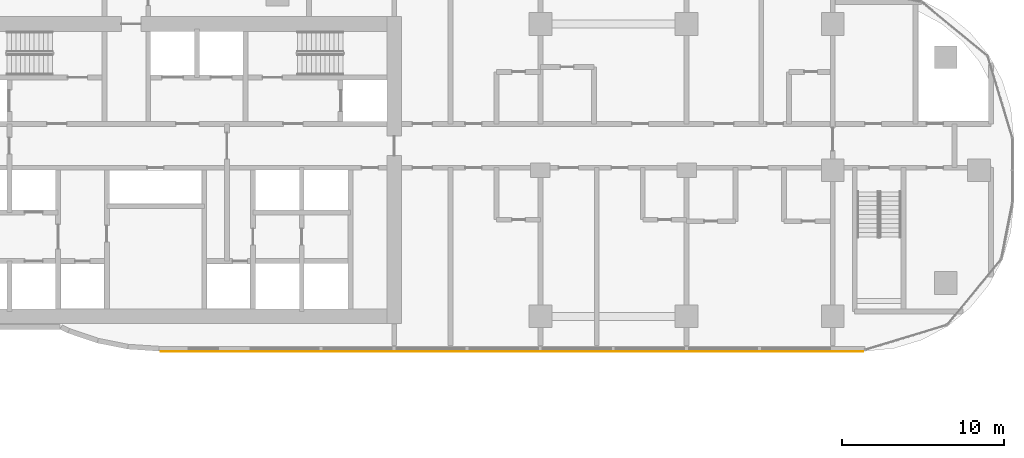
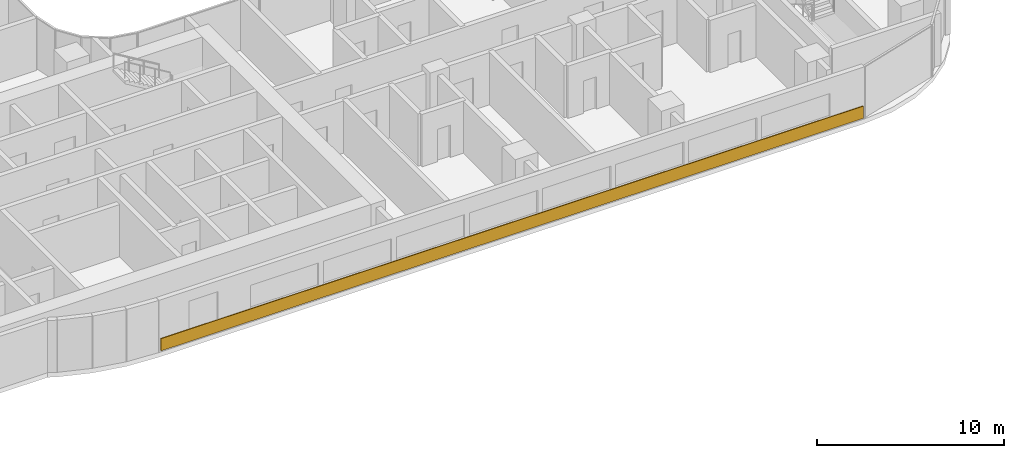
# One storey, part 28 of 32: 1 covering.
"""IFC4 building model written with IfcOpenShell, lengths in metres."""

from ifc_helpers import new_model, si_unit, direction, frame, origin, origin_2d, place, context, subcontext, project, spatial, rectangle, extrude, material, layer, layer_set, type_object, element, save


model = new_model("IFC4")

# Units and contexts
model_context = context("Model", 3, precision=1e-05, world=origin(), true_north=direction((0.0, 1.0)))
body_context = subcontext(model_context, "Body", "Model", "MODEL_VIEW")
ifc_project = project(units=[si_unit("LENGTHUNIT", "METRE"), si_unit("AREAUNIT", "SQUARE_METRE"), si_unit("VOLUMEUNIT", "CUBIC_METRE"), si_unit("PLANEANGLEUNIT", "RADIAN"), si_unit("MASSUNIT", "GRAM", prefix="KILO")], contexts=[model_context])

# Site, building, storey
site_placement = place(None, origin())
site = spatial("IfcSite", under=ifc_project, at=site_placement, CompositionType="ELEMENT")
building_placement = place(site_placement, origin())
building = spatial("IfcBuilding", under=site, at=building_placement, Name="Ogive Portal Towers", CompositionType="ELEMENT")
storey_placement = place(building_placement, frame((0.0, 0.0, 59.39990234375)))
storey = spatial("IfcBuildingStorey", under=building, at=storey_placement, Name="L13", CompositionType="ELEMENT", Elevation=59.39990234375)

# Covering
ifc_material = material(Name="Limestone cladding on lightweight block wall", Category="masonry")
ifc_layer = layer(ifc_material, 0.050048828125)
ifc_layer_set = layer_set([ifc_layer], Name="SCREEN PERFORATED STONE")
covering_type = type_object("IfcCoveringType", Name="SCREEN PERFORATED STONE", PredefinedType="CLADDING", material=ifc_layer_set)
covering_placement = place(storey_placement, frame((65.7490234375, 19.330078125, 0.10009765625), z_axis=(0.0, 0.0, 1.0), x_axis=(1.0, 0.0, 0.0)))
element("IfcCovering", 1, at=covering_placement, inside=storey, type_object=covering_type, Name="Tracery screen", PredefinedType="CLADDING", context=body_context, shape_type="SweptSolid", body=[
    extrude(rectangle(XDim=43.2783203125, YDim=0.050048828125, at=origin_2d()), origin(), (0.0, 0.0, 1.0), 0.800048828125),
])

save(model, "model.ifc")
